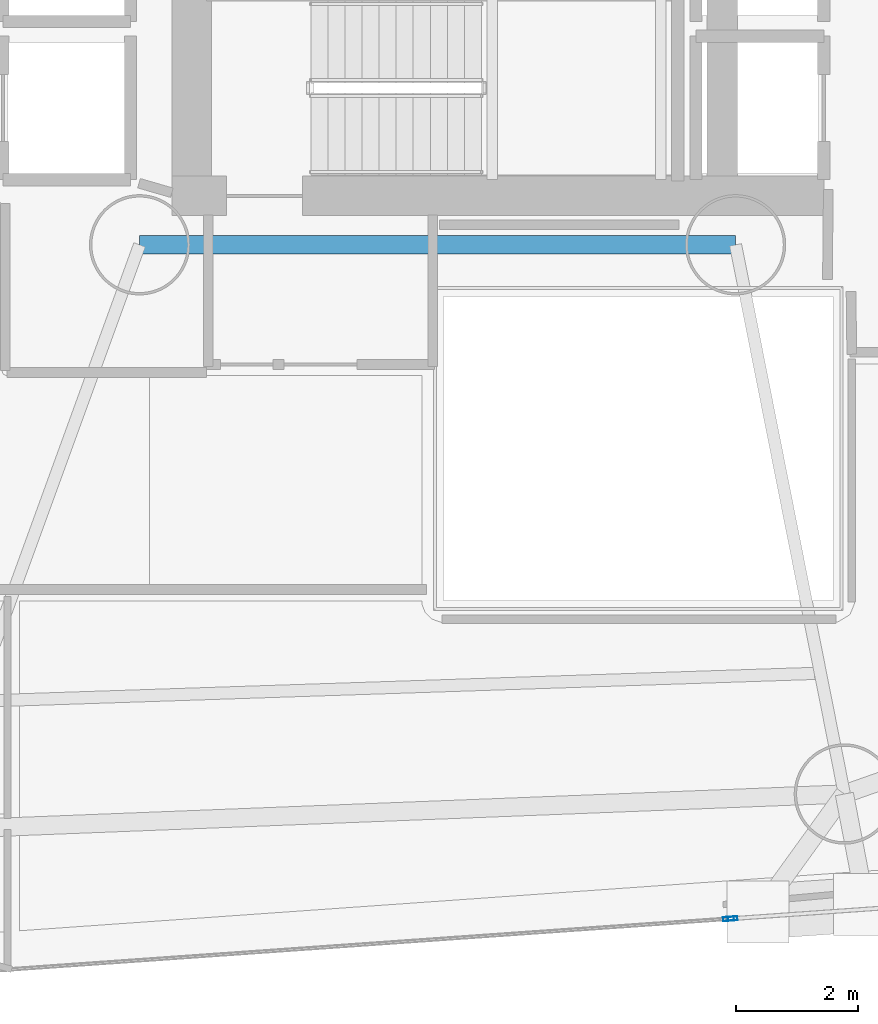
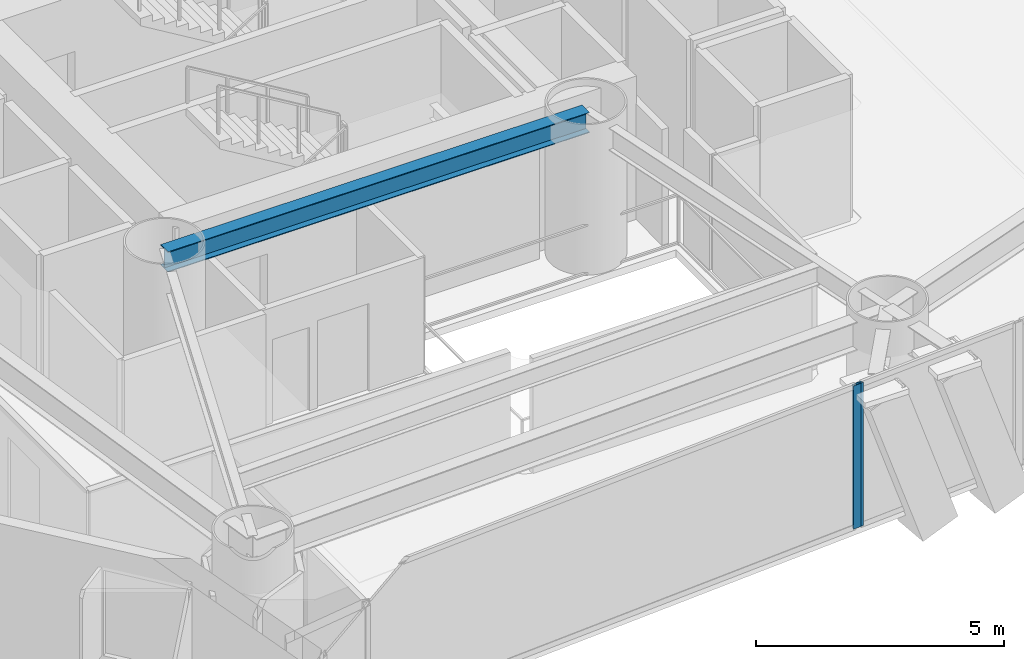
# One storey, part 5 of 24: 2 members, 1 beam, 2 elements without a shape of their own.
"""IFC4 building model written with IfcOpenShell, lengths in metres."""

from ifc_helpers import new_model, si_unit, direction, frame, origin, origin_2d, place, context, subcontext, project, spatial, hollow_rectangle, i_section, extrude, material, layer, layer_set, material_profile, profile_set, type_object, element, aggregate, save


model = new_model("IFC4")

# Units and contexts
model_context = context("Model", 3, precision=1e-05, world=origin(), true_north=direction((0.0, 1.0)))
body_context = subcontext(model_context, "Body", "Model", "MODEL_VIEW")
ifc_project = project(units=[si_unit("LENGTHUNIT", "METRE"), si_unit("AREAUNIT", "SQUARE_METRE"), si_unit("VOLUMEUNIT", "CUBIC_METRE"), si_unit("PLANEANGLEUNIT", "RADIAN"), si_unit("MASSUNIT", "GRAM", prefix="KILO")], contexts=[model_context])

# Site, building, storey
site_placement = place(None, origin())
site = spatial("IfcSite", under=ifc_project, at=site_placement, CompositionType="ELEMENT")
building_placement = place(site_placement, origin())
building = spatial("IfcBuilding", under=site, at=building_placement, Name="Qianvela Tower", CompositionType="ELEMENT")
storey_placement = place(building_placement, frame((0.0, 0.0, 59.89990234375)))
storey = spatial("IfcBuildingStorey", under=building, at=storey_placement, Name="L14", CompositionType="ELEMENT", Elevation=59.89990234375)

# Beam
ifc_material_1 = material(Name="Steel Q355B", Category="steel")
ifc_material_profile_1 = material_profile(ifc_material_1, i_section(OverallWidth=0.300048828125, OverallDepth=0.5, WebThickness=0.010986328125, FlangeThickness=0.01806640625, at=origin_2d()), Name="HM500x300x11x18")
ifc_profile_set_1 = profile_set([ifc_material_profile_1], Name="Steel Q355B")
beam_type = type_object("IfcBeamType", Name="BM-HM500-COLL", PredefinedType="BEAM", material=ifc_profile_set_1)
beam_placement = place(storey_placement, frame((28.60009765625, 23.85009765625, 3.26806640625), z_axis=(1.0, 0.0, 0.0), x_axis=(0.0, 1.0, 0.0)))
element("IfcBeam", 1, at=beam_placement, inside=storey, type_object=beam_type, Name="L14 Core Ring Collector Girder CC1", PredefinedType="BEAM", context=body_context, shape_type="SweptSolid", body=[
    extrude(i_section(OverallWidth=0.300048828125, OverallDepth=0.5, WebThickness=0.010986328125, FlangeThickness=0.01806640625, at=origin_2d()), origin(), (0.0, 0.0, 1.0), 9.7998046875),
])

# Curtain wall, member
ifc_material_2 = material(Name="Anodised Architectural Aluminium and Insulated Spandrel Panel", Category="aluminium")
ifc_layer_1 = layer(ifc_material_2, 0.179931640625)
ifc_layer_set_1 = layer_set([ifc_layer_1], Name="Anodised Architectural Aluminium and Insulated Spandrel Panel")
curtain_wall_type_1 = type_object("IfcCurtainWallType", Name="CW-BRACEBAY", PredefinedType="USERDEFINED", material=ifc_layer_set_1)
curtain_wall_1_placement = place(storey_placement, origin())
curtain_wall_1 = element("IfcCurtainWall", 2, at=curtain_wall_1_placement, inside=storey, type_object=curtain_wall_type_1, Name="L14 CW-BRACEBAY Curtain Wall 06B", ObjectType="CURTAIN_WALL_SYSTEM", PredefinedType="USERDEFINED")
ifc_material_3 = material(Name="Anodised Architectural Aluminium 6063-T6", Category="aluminium")
ifc_material_profile_2 = material_profile(ifc_material_3, hollow_rectangle(XDim=0.06494140625, YDim=0.159912109375, WallThickness=0.0048828125, at=origin_2d()), Name="ALU-MULL-65x160")
ifc_profile_set_2 = profile_set([ifc_material_profile_2], Name="Anodised Architectural Aluminium 6063-T6")
member_type_1 = type_object("IfcMemberType", Name="CW-BRACEBAY-MULL", PredefinedType="MULLION", material=ifc_profile_set_2)
member_1_placement = place(storey_placement, frame((38.351806640625, 12.770263671875, 0.0), z_axis=(0.0, 0.0, 1.0), x_axis=(-0.07033751359, 0.997523249946, 0.0)))
member_1 = element("IfcMember", 3, at=member_1_placement, type_object=member_type_1, Name="CW-9 mullion 1", PredefinedType="MULLION", context=body_context, shape_type="SweptSolid", body=[
    extrude(hollow_rectangle(XDim=0.06494140625, YDim=0.159912109375, WallThickness=0.0048828125, at=origin_2d()), origin(), (0.0, 0.0, 1.0), 3.52001953125),
])
aggregate(curtain_wall_1, [member_1])

ifc_material_4 = material(Name="Anodised Architectural Aluminium and Low-E Glass", Category="aluminium")
ifc_layer_2 = layer(ifc_material_4, 0.179931640625)
ifc_layer_set_2 = layer_set([ifc_layer_2], Name="Anodised Architectural Aluminium and Low-E Glass")
curtain_wall_type_2 = type_object("IfcCurtainWallType", Name="CW-COLIV-Z12", PredefinedType="USERDEFINED", material=ifc_layer_set_2)
curtain_wall_2_placement = place(storey_placement, origin())
curtain_wall_2 = element("IfcCurtainWall", 4, at=curtain_wall_2_placement, inside=storey, type_object=curtain_wall_type_2, Name="L14 CW-COLIV-Z12 Curtain Wall 06A", ObjectType="CURTAIN_WALL_SYSTEM", PredefinedType="USERDEFINED")
ifc_material_5 = material(Name="Anodised Architectural Aluminium 6063-T6", Category="aluminium")
ifc_material_profile_3 = material_profile(ifc_material_5, hollow_rectangle(XDim=0.070068359375, YDim=0.179931640625, WallThickness=0.0048828125, at=origin_2d()), Name="ALU-MULL-70x180")
ifc_profile_set_3 = profile_set([ifc_material_profile_3], Name="Anodised Architectural Aluminium 6063-T6")
member_type_2 = type_object("IfcMemberType", Name="CW-COLIV-Z12-MULL", PredefinedType="MULLION", material=ifc_profile_set_3)
member_2_placement = place(storey_placement, frame((38.28466796875, 12.765625, 0.0), z_axis=(0.0, 0.0, 1.0), x_axis=(-0.070329810087, 0.997523793106, 0.0)))
member_2 = element("IfcMember", 5, at=member_2_placement, type_object=member_type_2, Name="CW-3 mullion 2", PredefinedType="MULLION", context=body_context, shape_type="SweptSolid", body=[
    extrude(hollow_rectangle(XDim=0.070068359375, YDim=0.179931640625, WallThickness=0.0048828125, at=origin_2d()), origin(), (0.0, 0.0, 1.0), 3.52001953125),
])
aggregate(curtain_wall_2, [member_2])

save(model, "model.ifc")
